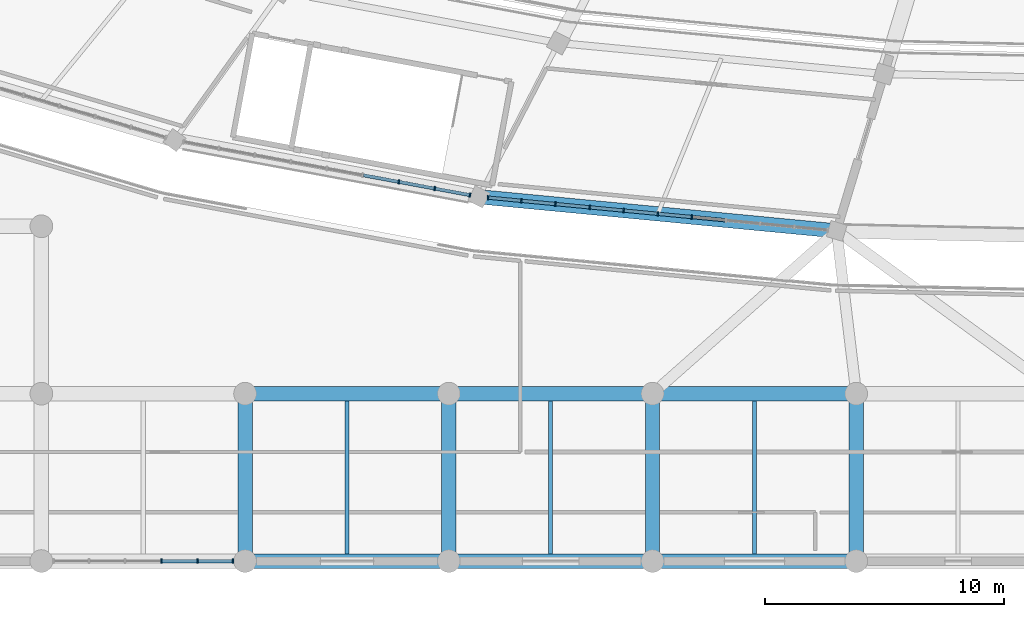
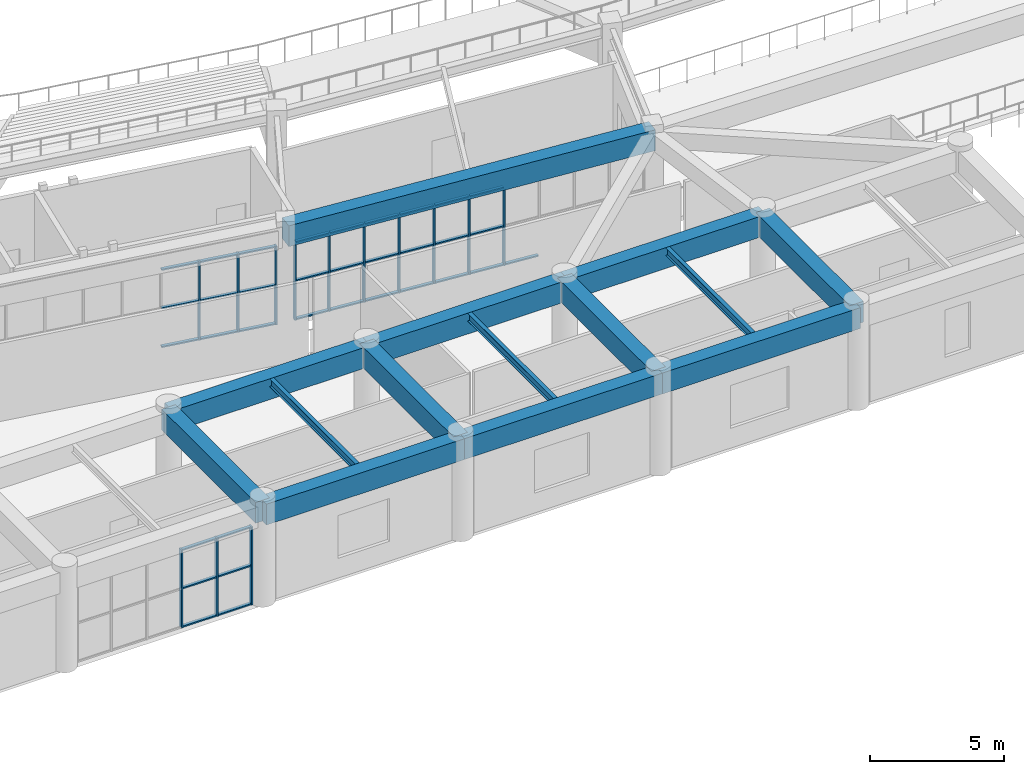
# One storey, part 21 of 137: 47 members, 14 beams, 3 elements without a shape of their own.
"""IFC4 building model written with IfcOpenShell, lengths in metres."""

from ifc_helpers import new_model, si_unit, direction, frame, origin, origin_2d, place, context, subcontext, project, spatial, rectangle, i_section, extrude, material, layer, layer_set, material_profile, profile_set, type_object, element, aggregate, save


model = new_model("IFC4")

# Units and contexts
model_context = context("Model", 3, precision=1e-05, world=origin(), true_north=direction((0.0, 1.0)))
body_context = subcontext(model_context, "Body", "Model", "MODEL_VIEW")
ifc_project = project(units=[si_unit("LENGTHUNIT", "METRE"), si_unit("AREAUNIT", "SQUARE_METRE"), si_unit("VOLUMEUNIT", "CUBIC_METRE"), si_unit("PLANEANGLEUNIT", "RADIAN"), si_unit("MASSUNIT", "GRAM", prefix="KILO")], contexts=[model_context])

# Site, building, storey
site_placement = place(None, origin())
site = spatial("IfcSite", under=ifc_project, at=site_placement, CompositionType="ELEMENT")
building_placement = place(site_placement, origin())
building = spatial("IfcBuilding", under=site, at=building_placement, Name="Mphavela Belvedere Stadium", CompositionType="ELEMENT")
storey_placement = place(building_placement, frame((0.0, 0.0, 19.199951171875)))
storey = spatial("IfcBuildingStorey", under=building, at=storey_placement, Name="L04", CompositionType="ELEMENT", Elevation=19.199951171875)

# Beams
ifc_material_1 = material(Name="Concrete C40/50", Category="concrete")
ifc_material_profile_1 = material_profile(ifc_material_1, rectangle(XDim=0.60009765625, YDim=0.949951171875, at=origin_2d()), Name="RC 600x950")
ifc_profile_set_1 = profile_set([ifc_material_profile_1], Name="Concrete C40/50")
beam_type_1 = type_object("IfcBeamType", Name="BM-ENTABLATURE-950", PredefinedType="SPANDREL", material=ifc_profile_set_1)
beam_1_placement = place(storey_placement, frame((77.92724609375, 15.232666015625, 4.074951171875), z_axis=(0.995483415661, -0.094935605244, 0.0), x_axis=(0.094935605244, 0.995483415661, 0.0)))
element("IfcBeam", 1, at=beam_1_placement, inside=storey, type_object=beam_type_1, Name="Circumferential girder L04 R4-35", PredefinedType="SPANDREL", context=body_context, shape_type="SweptSolid", body=[
    extrude(rectangle(XDim=0.60009765625, YDim=0.949951171875, at=origin_2d()), origin(), (0.0, 0.0, 1.0), 15.026123046875),
])
beam_2_placement = place(storey_placement, frame((68.14794921875, 0.0, 4.06494140625), z_axis=(1.0, 0.0, 0.0), x_axis=(0.0, 1.0, 0.0)))
element("IfcBeam", 2, at=beam_2_placement, inside=storey, type_object=beam_type_1, Name="South Axial Triumphal Peristyle Portico entablature beam X L04 9-1", PredefinedType="SPANDREL", context=body_context, shape_type="SweptSolid", body=[
    extrude(rectangle(XDim=0.60009765625, YDim=0.949951171875, at=origin_2d()), origin(), (0.0, 0.0, 1.0), 8.51904296875),
])
beam_3_placement = place(storey_placement, frame((68.14794921875, 0.0, 4.06494140625), z_axis=(0.0, 1.0, 0.0), x_axis=(-1.0, 0.0, 0.0)))
element("IfcBeam", 3, at=beam_3_placement, inside=storey, type_object=beam_type_1, Name="South Axial Triumphal Peristyle Portico entablature beam Y L04 9-1", PredefinedType="SPANDREL", context=body_context, shape_type="SweptSolid", body=[
    extrude(rectangle(XDim=0.60009765625, YDim=0.949951171875, at=origin_2d()), origin(), (0.0, 0.0, 1.0), 7.0),
])
beam_4_placement = place(storey_placement, frame((68.14794921875, 7.0, 4.06494140625), z_axis=(1.0, 0.0, 0.0), x_axis=(0.0, 1.0, 0.0)))
element("IfcBeam", 4, at=beam_4_placement, inside=storey, type_object=beam_type_1, Name="South Axial Triumphal Peristyle Portico entablature beam X L04 9-2", PredefinedType="SPANDREL", context=body_context, shape_type="SweptSolid", body=[
    extrude(rectangle(XDim=0.60009765625, YDim=0.949951171875, at=origin_2d()), origin(), (0.0, 0.0, 1.0), 8.51904296875),
])
beam_5_placement = place(storey_placement, frame((76.6669921875, 0.0, 4.06494140625), z_axis=(1.0, 0.0, 0.0), x_axis=(0.0, 1.0, 0.0)))
element("IfcBeam", 5, at=beam_5_placement, inside=storey, type_object=beam_type_1, Name="South Axial Triumphal Peristyle Portico entablature beam X L04 10-1", PredefinedType="SPANDREL", context=body_context, shape_type="SweptSolid", body=[
    extrude(rectangle(XDim=0.60009765625, YDim=0.949951171875, at=origin_2d()), origin(), (0.0, 0.0, 1.0), 8.51806640625),
])
beam_6_placement = place(storey_placement, frame((76.6669921875, 0.0, 4.06494140625), z_axis=(0.0, 1.0, 0.0), x_axis=(-1.0, 0.0, 0.0)))
element("IfcBeam", 6, at=beam_6_placement, inside=storey, type_object=beam_type_1, Name="South Axial Triumphal Peristyle Portico entablature beam Y L04 10-1", PredefinedType="SPANDREL", context=body_context, shape_type="SweptSolid", body=[
    extrude(rectangle(XDim=0.60009765625, YDim=0.949951171875, at=origin_2d()), origin(), (0.0, 0.0, 1.0), 7.0),
])
beam_7_placement = place(storey_placement, frame((76.6669921875, 7.0, 4.06494140625), z_axis=(1.0, 0.0, 0.0), x_axis=(0.0, 1.0, 0.0)))
element("IfcBeam", 7, at=beam_7_placement, inside=storey, type_object=beam_type_1, Name="South Axial Triumphal Peristyle Portico entablature beam X L04 10-2", PredefinedType="SPANDREL", context=body_context, shape_type="SweptSolid", body=[
    extrude(rectangle(XDim=0.60009765625, YDim=0.949951171875, at=origin_2d()), origin(), (0.0, 0.0, 1.0), 8.51806640625),
])
beam_8_placement = place(storey_placement, frame((85.18505859375, 0.0, 4.06494140625), z_axis=(1.0, 0.0, 0.0), x_axis=(0.0, 1.0, 0.0)))
element("IfcBeam", 8, at=beam_8_placement, inside=storey, type_object=beam_type_1, Name="South Axial Triumphal Peristyle Portico entablature beam X L04 11-1", PredefinedType="SPANDREL", context=body_context, shape_type="SweptSolid", body=[
    extrude(rectangle(XDim=0.60009765625, YDim=0.949951171875, at=origin_2d()), origin(), (0.0, 0.0, 1.0), 8.51904296875),
])
beam_9_placement = place(storey_placement, frame((85.18505859375, 0.0, 4.06494140625), z_axis=(0.0, 1.0, 0.0), x_axis=(-1.0, 0.0, 0.0)))
element("IfcBeam", 9, at=beam_9_placement, inside=storey, type_object=beam_type_1, Name="South Axial Triumphal Peristyle Portico entablature beam Y L04 11-1", PredefinedType="SPANDREL", context=body_context, shape_type="SweptSolid", body=[
    extrude(rectangle(XDim=0.60009765625, YDim=0.949951171875, at=origin_2d()), origin(), (0.0, 0.0, 1.0), 7.0),
])
beam_10_placement = place(storey_placement, frame((85.18505859375, 7.0, 4.06494140625), z_axis=(1.0, 0.0, 0.0), x_axis=(0.0, 1.0, 0.0)))
element("IfcBeam", 10, at=beam_10_placement, inside=storey, type_object=beam_type_1, Name="South Axial Triumphal Peristyle Portico entablature beam X L04 11-2", PredefinedType="SPANDREL", context=body_context, shape_type="SweptSolid", body=[
    extrude(rectangle(XDim=0.60009765625, YDim=0.949951171875, at=origin_2d()), origin(), (0.0, 0.0, 1.0), 8.51904296875),
])
beam_11_placement = place(storey_placement, frame((93.7041015625, 0.0, 4.06494140625), z_axis=(0.0, 1.0, 0.0), x_axis=(-1.0, 0.0, 0.0)))
element("IfcBeam", 11, at=beam_11_placement, inside=storey, type_object=beam_type_1, Name="South Axial Triumphal Peristyle Portico entablature beam Y L04 12-1", PredefinedType="SPANDREL", context=body_context, shape_type="SweptSolid", body=[
    extrude(rectangle(XDim=0.60009765625, YDim=0.949951171875, at=origin_2d()), origin(), (0.0, 0.0, 1.0), 7.0),
])
ifc_material_2 = material(Name="Steel S355", Category="steel")
ifc_material_profile_2 = material_profile(ifc_material_2, i_section(OverallWidth=0.169921875, OverallDepth=0.360107421875, WebThickness=0.008056640625, FlangeThickness=0.0126953125, at=origin_2d()), Name="IPE 360")
ifc_profile_set_2 = profile_set([ifc_material_profile_2], Name="Steel S355")
beam_type_2 = type_object("IfcBeamType", Name="BM-JOIST-IPE360", PredefinedType="JOIST", material=ifc_profile_set_2)
for number, where, z_axis, x_axis, name in (
    (12, (72.407470703125, 0.300048828125, 4.360107421875), (0.0, 1.0, 0.0), (-1.0, 0.0, 0.0), "South Axial Triumphal Peristyle Portico secondary joist L04 9-1"),
    (13, (80.926025390625, 0.300048828125, 4.360107421875), (0.0, 1.0, 0.0), (-1.0, 0.0, 0.0), "South Axial Triumphal Peristyle Portico secondary joist L04 10-1"),
    (14, (89.444580078125, 0.300048828125, 4.360107421875), (0.0, 1.0, 0.0), (-1.0, 0.0, 0.0), "South Axial Triumphal Peristyle Portico secondary joist L04 11-1"),
):
    element("IfcBeam", number, at=place(storey_placement, frame(where, z_axis=z_axis, x_axis=x_axis)), inside=storey, type_object=beam_type_2, Name=name, PredefinedType="JOIST", context=body_context, shape_type="SweptSolid", body=[
        extrude(i_section(OverallWidth=0.169921875, OverallDepth=0.360107421875, WebThickness=0.008056640625, FlangeThickness=0.0126953125, at=origin_2d()), origin(), (0.0, 0.0, 1.0), 6.39990234375),
    ])

# Curtain wall, members
ifc_material_3 = material(Name="Anodised bronze unitised curtain wall framing")
ifc_layer_1 = layer(ifc_material_3, 0.18505859375)
ifc_layer_set_1 = layer_set([ifc_layer_1], Name="Anodised bronze unitised curtain wall framing")
curtain_wall_type_1 = type_object("IfcCurtainWallType", Name="CW-UNIT-02", PredefinedType="USERDEFINED", material=ifc_layer_set_1)
curtain_wall_1_placement = place(storey_placement, origin())
curtain_wall_1 = element("IfcCurtainWall", 15, at=curtain_wall_1_placement, inside=storey, type_object=curtain_wall_type_1, Name="Belvedere colonnade curtain wall L04-34", ObjectType="UNITISED CURTAIN WALL", PredefinedType="USERDEFINED")
ifc_material_4 = material(Name="Anodised bronze extruded aluminium", Category="aluminium")
ifc_material_profile_3 = material_profile(ifc_material_4, rectangle(XDim=0.179931640625, YDim=0.06494140625, at=origin_2d()), Name="CW-MUL 180x65")
ifc_profile_set_3 = profile_set([ifc_material_profile_3], Name="Anodised bronze extruded aluminium")
member_type_1 = type_object("IfcMemberType", Name="CWM-180x65", PredefinedType="MULLION", material=ifc_profile_set_3)
member_1_placement = place(storey_placement, frame((74.573974609375, 15.857177734375, 0.0), z_axis=(0.0, 0.0, 1.0), x_axis=(0.183090835302, 0.983096000413, 0.0)))
member_1 = element("IfcMember", 16, at=member_1_placement, type_object=member_type_1, Name="CW-02 mullion 7", PredefinedType="MULLION", context=body_context, shape_type="SweptSolid", body=[
    extrude(rectangle(XDim=0.179931640625, YDim=0.06494140625, at=origin_2d()), origin(), (0.0, 0.0, 1.0), 3.570068359375),
])
member_2_placement = place(storey_placement, frame((76.07958984375, 15.57666015625, 0.0), z_axis=(0.0, 0.0, 1.0), x_axis=(0.183090835302, 0.983096000413, 0.0)))
member_2 = element("IfcMember", 17, at=member_2_placement, type_object=member_type_1, Name="CW-02 mullion 8", PredefinedType="MULLION", context=body_context, shape_type="SweptSolid", body=[
    extrude(rectangle(XDim=0.179931640625, YDim=0.06494140625, at=origin_2d()), origin(), (0.0, 0.0, 1.0), 3.570068359375),
])
member_3_placement = place(storey_placement, frame((77.55322265625, 15.30224609375, 0.0), z_axis=(0.0, 0.0, 1.0), x_axis=(0.183090835302, 0.983096000413, 0.0)))
member_3 = element("IfcMember", 18, at=member_3_placement, type_object=member_type_1, Name="CW-02 mullion 9", PredefinedType="MULLION", context=body_context, shape_type="SweptSolid", body=[
    extrude(rectangle(XDim=0.179931640625, YDim=0.06494140625, at=origin_2d()), origin(), (0.0, 0.0, 1.0), 3.570068359375),
])

ifc_material_5 = material(Name="Anodised bronze unitised curtain wall framing")
ifc_layer_2 = layer(ifc_material_5, 0.18994140625)
ifc_layer_set_2 = layer_set([ifc_layer_2], Name="Anodised bronze unitised curtain wall framing")
curtain_wall_type_2 = type_object("IfcCurtainWallType", Name="CW-UNIT-03", PredefinedType="USERDEFINED", material=ifc_layer_set_2)
curtain_wall_2_placement = place(storey_placement, origin())
curtain_wall_2 = element("IfcCurtainWall", 19, at=curtain_wall_2_placement, inside=storey, type_object=curtain_wall_type_2, Name="Belvedere colonnade curtain wall L04-35", ObjectType="UNITISED CURTAIN WALL", PredefinedType="USERDEFINED")
member_4_placement = place(storey_placement, frame((78.305908203125, 15.196533203125, 0.0), z_axis=(0.0, 0.0, 1.0), x_axis=(0.094932913757, 0.995483672335, 0.0)))
member_4 = element("IfcMember", 20, at=member_4_placement, type_object=member_type_1, Name="CW-03 mullion 1", PredefinedType="MULLION", context=body_context, shape_type="SweptSolid", body=[
    extrude(rectangle(XDim=0.179931640625, YDim=0.06494140625, at=origin_2d()), origin(), (0.0, 0.0, 1.0), 3.570068359375),
])
member_5_placement = place(storey_placement, frame((79.7001953125, 15.0634765625, 0.0), z_axis=(0.0, 0.0, 1.0), x_axis=(0.094932913757, 0.995483672335, 0.0)))
member_5 = element("IfcMember", 21, at=member_5_placement, type_object=member_type_1, Name="CW-03 mullion 2", PredefinedType="MULLION", context=body_context, shape_type="SweptSolid", body=[
    extrude(rectangle(XDim=0.179931640625, YDim=0.06494140625, at=origin_2d()), origin(), (0.0, 0.0, 1.0), 3.570068359375),
])
member_6_placement = place(storey_placement, frame((81.126708984375, 14.927490234375, 0.0), z_axis=(0.0, 0.0, 1.0), x_axis=(0.094932913757, 0.995483672335, 0.0)))
member_6 = element("IfcMember", 22, at=member_6_placement, type_object=member_type_1, Name="CW-03 mullion 3", PredefinedType="MULLION", context=body_context, shape_type="SweptSolid", body=[
    extrude(rectangle(XDim=0.179931640625, YDim=0.06494140625, at=origin_2d()), origin(), (0.0, 0.0, 1.0), 3.570068359375),
])
member_7_placement = place(storey_placement, frame((82.55322265625, 14.79150390625, 0.0), z_axis=(0.0, 0.0, 1.0), x_axis=(0.094932913757, 0.995483672335, 0.0)))
member_7 = element("IfcMember", 23, at=member_7_placement, type_object=member_type_1, Name="CW-03 mullion 4", PredefinedType="MULLION", context=body_context, shape_type="SweptSolid", body=[
    extrude(rectangle(XDim=0.179931640625, YDim=0.06494140625, at=origin_2d()), origin(), (0.0, 0.0, 1.0), 3.570068359375),
])
member_8_placement = place(storey_placement, frame((83.979736328125, 14.655517578125, 0.0), z_axis=(0.0, 0.0, 1.0), x_axis=(0.094932913757, 0.995483672335, 0.0)))
member_8 = element("IfcMember", 24, at=member_8_placement, type_object=member_type_1, Name="CW-03 mullion 5", PredefinedType="MULLION", context=body_context, shape_type="SweptSolid", body=[
    extrude(rectangle(XDim=0.179931640625, YDim=0.06494140625, at=origin_2d()), origin(), (0.0, 0.0, 1.0), 3.570068359375),
])
member_9_placement = place(storey_placement, frame((85.40625, 14.519287109375, 0.0), z_axis=(0.0, 0.0, 1.0), x_axis=(0.094932913757, 0.995483672335, 0.0)))
member_9 = element("IfcMember", 25, at=member_9_placement, type_object=member_type_1, Name="CW-03 mullion 6", PredefinedType="MULLION", context=body_context, shape_type="SweptSolid", body=[
    extrude(rectangle(XDim=0.179931640625, YDim=0.06494140625, at=origin_2d()), origin(), (0.0, 0.0, 1.0), 3.570068359375),
])
member_10_placement = place(storey_placement, frame((86.832763671875, 14.38330078125, 0.0), z_axis=(0.0, 0.0, 1.0), x_axis=(0.094932913757, 0.995483672335, 0.0)))
member_10 = element("IfcMember", 26, at=member_10_placement, type_object=member_type_1, Name="CW-03 mullion 7", PredefinedType="MULLION", context=body_context, shape_type="SweptSolid", body=[
    extrude(rectangle(XDim=0.179931640625, YDim=0.06494140625, at=origin_2d()), origin(), (0.0, 0.0, 1.0), 3.570068359375),
])

ifc_material_6 = material(Name="Anodised bronze unitised curtain wall framing")
ifc_layer_3 = layer(ifc_material_6, 0.195068359375)
ifc_layer_set_3 = layer_set([ifc_layer_3], Name="Anodised bronze unitised curtain wall framing")
curtain_wall_type_3 = type_object("IfcCurtainWallType", Name="CW-UNIT-04", PredefinedType="USERDEFINED", material=ifc_layer_set_3)
curtain_wall_3_placement = place(storey_placement, origin())
curtain_wall_3 = element("IfcCurtainWall", 27, at=curtain_wall_3_placement, inside=storey, type_object=curtain_wall_type_3, Name="South Axial Triumphal Peristyle Portico gallery curtain wall L04-08", ObjectType="UNITISED CURTAIN WALL", PredefinedType="USERDEFINED")
member_11_placement = place(storey_placement, frame((67.642578125, 0.0, 0.0), z_axis=(0.0, 0.0, 1.0), x_axis=(0.0, -1.0, 0.0)))
member_11 = element("IfcMember", 28, at=member_11_placement, type_object=member_type_1, Name="CW-04 mullion 1", PredefinedType="MULLION", context=body_context, shape_type="SweptSolid", body=[
    extrude(rectangle(XDim=0.179931640625, YDim=0.06494140625, at=origin_2d()), origin(), (0.0, 0.0, 1.0), 3.56005859375),
])
member_12_placement = place(storey_placement, frame((66.16064453125, 0.0, 0.0), z_axis=(0.0, 0.0, 1.0), x_axis=(0.0, -1.0, 0.0)))
member_12 = element("IfcMember", 29, at=member_12_placement, type_object=member_type_1, Name="CW-04 mullion 2", PredefinedType="MULLION", context=body_context, shape_type="SweptSolid", body=[
    extrude(rectangle(XDim=0.179931640625, YDim=0.06494140625, at=origin_2d()), origin(), (0.0, 0.0, 1.0), 3.56005859375),
])
member_13_placement = place(storey_placement, frame((64.646240234375, 0.0, 0.0), z_axis=(0.0, 0.0, 1.0), x_axis=(0.0, -1.0, 0.0)))
member_13 = element("IfcMember", 30, at=member_13_placement, type_object=member_type_1, Name="CW-04 mullion 3", PredefinedType="MULLION", context=body_context, shape_type="SweptSolid", body=[
    extrude(rectangle(XDim=0.179931640625, YDim=0.06494140625, at=origin_2d()), origin(), (0.0, 0.0, 1.0), 3.56005859375),
])

# Member
ifc_material_7 = material(Name="Anodised bronze extruded aluminium", Category="aluminium")
ifc_material_profile_4 = material_profile(ifc_material_7, rectangle(XDim=0.139892578125, YDim=0.06005859375, at=origin_2d()), Name="CW-TRN 140x60")
ifc_profile_set_4 = profile_set([ifc_material_profile_4], Name="Anodised bronze extruded aluminium")
member_type_2 = type_object("IfcMemberType", Name="CWT-140x60", PredefinedType="USERDEFINED", material=ifc_profile_set_4)
member_14_placement = place(storey_placement, frame((73.1005859375, 16.131591796875, 0.030029296875), z_axis=(0.983082665707, -0.183162420779, 0.0), x_axis=(0.183162420779, 0.983082665707, 0.0)))
member_14 = element("IfcMember", 31, at=member_14_placement, type_object=member_type_2, Name="CW-02 transom 6.1", ObjectType="TRANSOM", PredefinedType="USERDEFINED", context=body_context, shape_type="SweptSolid", body=[
    extrude(rectangle(XDim=0.139892578125, YDim=0.06005859375, at=origin_2d()), origin(), (0.0, 0.0, 1.0), 1.46630859375),
])

member_15_placement = place(storey_placement, frame((73.1005859375, 16.131591796875, 1.78515625), z_axis=(0.983082665707, -0.183162420779, 0.0), x_axis=(0.183162420779, 0.983082665707, 0.0)))
member_15 = element("IfcMember", 32, at=member_15_placement, type_object=member_type_2, Name="CW-02 transom 6.2", ObjectType="TRANSOM", PredefinedType="USERDEFINED", context=body_context, shape_type="SweptSolid", body=[
    extrude(rectangle(XDim=0.139892578125, YDim=0.06005859375, at=origin_2d()), origin(), (0.0, 0.0, 1.0), 1.46630859375),
])

member_16_placement = place(storey_placement, frame((73.1005859375, 16.131591796875, 3.5400390625), z_axis=(0.983082665707, -0.183162420779, 0.0), x_axis=(0.183162420779, 0.983082665707, 0.0)))
member_16 = element("IfcMember", 33, at=member_16_placement, type_object=member_type_2, Name="CW-02 transom 6.3", ObjectType="TRANSOM", PredefinedType="USERDEFINED", context=body_context, shape_type="SweptSolid", body=[
    extrude(rectangle(XDim=0.139892578125, YDim=0.06005859375, at=origin_2d()), origin(), (0.0, 0.0, 1.0), 1.46630859375),
])

member_17_placement = place(storey_placement, frame((74.60595703125, 15.85107421875, 0.030029296875), z_axis=(0.983088250536, -0.183132442945, 0.0), x_axis=(0.183132442945, 0.983088250536, 0.0)))
member_17 = element("IfcMember", 34, at=member_17_placement, type_object=member_type_2, Name="CW-02 transom 7.1", ObjectType="TRANSOM", PredefinedType="USERDEFINED", context=body_context, shape_type="SweptSolid", body=[
    extrude(rectangle(XDim=0.139892578125, YDim=0.06005859375, at=origin_2d()), origin(), (0.0, 0.0, 1.0), 1.466552734375),
])

member_18_placement = place(storey_placement, frame((74.60595703125, 15.85107421875, 1.78515625), z_axis=(0.983088250536, -0.183132442945, 0.0), x_axis=(0.183132442945, 0.983088250536, 0.0)))
member_18 = element("IfcMember", 35, at=member_18_placement, type_object=member_type_2, Name="CW-02 transom 7.2", ObjectType="TRANSOM", PredefinedType="USERDEFINED", context=body_context, shape_type="SweptSolid", body=[
    extrude(rectangle(XDim=0.139892578125, YDim=0.06005859375, at=origin_2d()), origin(), (0.0, 0.0, 1.0), 1.466552734375),
])

member_19_placement = place(storey_placement, frame((74.60595703125, 15.85107421875, 3.5400390625), z_axis=(0.983088250536, -0.183132442945, 0.0), x_axis=(0.183132442945, 0.983088250536, 0.0)))
member_19 = element("IfcMember", 36, at=member_19_placement, type_object=member_type_2, Name="CW-02 transom 7.3", ObjectType="TRANSOM", PredefinedType="USERDEFINED", context=body_context, shape_type="SweptSolid", body=[
    extrude(rectangle(XDim=0.139892578125, YDim=0.06005859375, at=origin_2d()), origin(), (0.0, 0.0, 1.0), 1.466552734375),
])

member_20_placement = place(storey_placement, frame((76.111572265625, 15.57080078125, 0.030029296875), z_axis=(0.9830758938, -0.183198763722, 0.0), x_axis=(0.183198763722, 0.9830758938, 0.0)))
member_20 = element("IfcMember", 37, at=member_20_placement, type_object=member_type_2, Name="CW-02 transom 8.1", ObjectType="TRANSOM", PredefinedType="USERDEFINED", context=body_context, shape_type="SweptSolid", body=[
    extrude(rectangle(XDim=0.139892578125, YDim=0.06005859375, at=origin_2d()), origin(), (0.0, 0.0, 1.0), 1.433837890625),
])

member_21_placement = place(storey_placement, frame((76.111572265625, 15.57080078125, 1.78515625), z_axis=(0.9830758938, -0.183198763722, 0.0), x_axis=(0.183198763722, 0.9830758938, 0.0)))
member_21 = element("IfcMember", 38, at=member_21_placement, type_object=member_type_2, Name="CW-02 transom 8.2", ObjectType="TRANSOM", PredefinedType="USERDEFINED", context=body_context, shape_type="SweptSolid", body=[
    extrude(rectangle(XDim=0.139892578125, YDim=0.06005859375, at=origin_2d()), origin(), (0.0, 0.0, 1.0), 1.433837890625),
])

member_22_placement = place(storey_placement, frame((76.111572265625, 15.57080078125, 3.5400390625), z_axis=(0.9830758938, -0.183198763722, 0.0), x_axis=(0.183198763722, 0.9830758938, 0.0)))
member_22 = element("IfcMember", 39, at=member_22_placement, type_object=member_type_2, Name="CW-02 transom 8.3", ObjectType="TRANSOM", PredefinedType="USERDEFINED", context=body_context, shape_type="SweptSolid", body=[
    extrude(rectangle(XDim=0.139892578125, YDim=0.06005859375, at=origin_2d()), origin(), (0.0, 0.0, 1.0), 1.433837890625),
])

aggregate(curtain_wall_1, [member_1, member_2, member_3, member_14, member_15, member_16, member_17, member_18, member_19, member_20, member_21, member_22])

member_23_placement = place(storey_placement, frame((78.33837890625, 15.193359375, 0.030029296875), z_axis=(0.995488074353, -0.094886742073, 0.0), x_axis=(0.094886742073, 0.995488074353, 0.0)))
member_23 = element("IfcMember", 40, at=member_23_placement, type_object=member_type_2, Name="CW-03 transom 1.1", ObjectType="TRANSOM", PredefinedType="USERDEFINED", context=body_context, shape_type="SweptSolid", body=[
    extrude(rectangle(XDim=0.139892578125, YDim=0.06005859375, at=origin_2d()), origin(), (0.0, 0.0, 1.0), 1.33544921875),
])

member_24_placement = place(storey_placement, frame((78.33837890625, 15.193359375, 1.78515625), z_axis=(0.995488074353, -0.094886742073, 0.0), x_axis=(0.094886742073, 0.995488074353, 0.0)))
member_24 = element("IfcMember", 41, at=member_24_placement, type_object=member_type_2, Name="CW-03 transom 1.2", ObjectType="TRANSOM", PredefinedType="USERDEFINED", context=body_context, shape_type="SweptSolid", body=[
    extrude(rectangle(XDim=0.139892578125, YDim=0.06005859375, at=origin_2d()), origin(), (0.0, 0.0, 1.0), 1.33544921875),
])

member_25_placement = place(storey_placement, frame((78.33837890625, 15.193359375, 3.5400390625), z_axis=(0.995488074353, -0.094886742073, 0.0), x_axis=(0.094886742073, 0.995488074353, 0.0)))
member_25 = element("IfcMember", 42, at=member_25_placement, type_object=member_type_2, Name="CW-03 transom 1.3", ObjectType="TRANSOM", PredefinedType="USERDEFINED", context=body_context, shape_type="SweptSolid", body=[
    extrude(rectangle(XDim=0.139892578125, YDim=0.06005859375, at=origin_2d()), origin(), (0.0, 0.0, 1.0), 1.33544921875),
])

member_26_placement = place(storey_placement, frame((79.732421875, 15.060546875, 0.030029296875), z_axis=(0.995482629973, -0.094943843518, 0.0), x_axis=(0.094943843518, 0.995482629973, 0.0)))
member_26 = element("IfcMember", 43, at=member_26_placement, type_object=member_type_2, Name="CW-03 transom 2.1", ObjectType="TRANSOM", PredefinedType="USERDEFINED", context=body_context, shape_type="SweptSolid", body=[
    extrude(rectangle(XDim=0.139892578125, YDim=0.06005859375, at=origin_2d()), origin(), (0.0, 0.0, 1.0), 1.367919921875),
])

member_27_placement = place(storey_placement, frame((79.732421875, 15.060546875, 1.78515625), z_axis=(0.995482629973, -0.094943843518, 0.0), x_axis=(0.094943843518, 0.995482629973, 0.0)))
member_27 = element("IfcMember", 44, at=member_27_placement, type_object=member_type_2, Name="CW-03 transom 2.2", ObjectType="TRANSOM", PredefinedType="USERDEFINED", context=body_context, shape_type="SweptSolid", body=[
    extrude(rectangle(XDim=0.139892578125, YDim=0.06005859375, at=origin_2d()), origin(), (0.0, 0.0, 1.0), 1.367919921875),
])

member_28_placement = place(storey_placement, frame((79.732421875, 15.060546875, 3.5400390625), z_axis=(0.995482629973, -0.094943843518, 0.0), x_axis=(0.094943843518, 0.995482629973, 0.0)))
member_28 = element("IfcMember", 45, at=member_28_placement, type_object=member_type_2, Name="CW-03 transom 2.3", ObjectType="TRANSOM", PredefinedType="USERDEFINED", context=body_context, shape_type="SweptSolid", body=[
    extrude(rectangle(XDim=0.139892578125, YDim=0.06005859375, at=origin_2d()), origin(), (0.0, 0.0, 1.0), 1.367919921875),
])

member_29_placement = place(storey_placement, frame((81.158935546875, 14.92431640625, 0.030029296875), z_axis=(0.99549948224, -0.094766981906, 0.0), x_axis=(0.094766981906, 0.99549948224, 0.0)))
member_29 = element("IfcMember", 46, at=member_29_placement, type_object=member_type_2, Name="CW-03 transom 3.1", ObjectType="TRANSOM", PredefinedType="USERDEFINED", context=body_context, shape_type="SweptSolid", body=[
    extrude(rectangle(XDim=0.139892578125, YDim=0.06005859375, at=origin_2d()), origin(), (0.0, 0.0, 1.0), 1.367919921875),
])

member_30_placement = place(storey_placement, frame((81.158935546875, 14.92431640625, 1.78515625), z_axis=(0.99549948224, -0.094766981906, 0.0), x_axis=(0.094766981906, 0.99549948224, 0.0)))
member_30 = element("IfcMember", 47, at=member_30_placement, type_object=member_type_2, Name="CW-03 transom 3.2", ObjectType="TRANSOM", PredefinedType="USERDEFINED", context=body_context, shape_type="SweptSolid", body=[
    extrude(rectangle(XDim=0.139892578125, YDim=0.06005859375, at=origin_2d()), origin(), (0.0, 0.0, 1.0), 1.367919921875),
])

member_31_placement = place(storey_placement, frame((81.158935546875, 14.92431640625, 3.5400390625), z_axis=(0.99549948224, -0.094766981906, 0.0), x_axis=(0.094766981906, 0.99549948224, 0.0)))
member_31 = element("IfcMember", 48, at=member_31_placement, type_object=member_type_2, Name="CW-03 transom 3.3", ObjectType="TRANSOM", PredefinedType="USERDEFINED", context=body_context, shape_type="SweptSolid", body=[
    extrude(rectangle(XDim=0.139892578125, YDim=0.06005859375, at=origin_2d()), origin(), (0.0, 0.0, 1.0), 1.367919921875),
])

member_32_placement = place(storey_placement, frame((82.585693359375, 14.788330078125, 0.030029296875), z_axis=(0.995482629973, -0.094943843518, 0.0), x_axis=(0.094943843518, 0.995482629973, 0.0)))
member_32 = element("IfcMember", 49, at=member_32_placement, type_object=member_type_2, Name="CW-03 transom 4.1", ObjectType="TRANSOM", PredefinedType="USERDEFINED", context=body_context, shape_type="SweptSolid", body=[
    extrude(rectangle(XDim=0.139892578125, YDim=0.06005859375, at=origin_2d()), origin(), (0.0, 0.0, 1.0), 1.367919921875),
])

member_33_placement = place(storey_placement, frame((82.585693359375, 14.788330078125, 1.78515625), z_axis=(0.995482629973, -0.094943843518, 0.0), x_axis=(0.094943843518, 0.995482629973, 0.0)))
member_33 = element("IfcMember", 50, at=member_33_placement, type_object=member_type_2, Name="CW-03 transom 4.2", ObjectType="TRANSOM", PredefinedType="USERDEFINED", context=body_context, shape_type="SweptSolid", body=[
    extrude(rectangle(XDim=0.139892578125, YDim=0.06005859375, at=origin_2d()), origin(), (0.0, 0.0, 1.0), 1.367919921875),
])

member_34_placement = place(storey_placement, frame((82.585693359375, 14.788330078125, 3.5400390625), z_axis=(0.995482629973, -0.094943843518, 0.0), x_axis=(0.094943843518, 0.995482629973, 0.0)))
member_34 = element("IfcMember", 51, at=member_34_placement, type_object=member_type_2, Name="CW-03 transom 4.3", ObjectType="TRANSOM", PredefinedType="USERDEFINED", context=body_context, shape_type="SweptSolid", body=[
    extrude(rectangle(XDim=0.139892578125, YDim=0.06005859375, at=origin_2d()), origin(), (0.0, 0.0, 1.0), 1.367919921875),
])

member_35_placement = place(storey_placement, frame((84.01220703125, 14.65234375, 0.030029296875), z_axis=(0.995482629973, -0.094943843518, 0.0), x_axis=(0.094943843518, 0.995482629973, 0.0)))
member_35 = element("IfcMember", 52, at=member_35_placement, type_object=member_type_2, Name="CW-03 transom 5.1", ObjectType="TRANSOM", PredefinedType="USERDEFINED", context=body_context, shape_type="SweptSolid", body=[
    extrude(rectangle(XDim=0.139892578125, YDim=0.06005859375, at=origin_2d()), origin(), (0.0, 0.0, 1.0), 1.367919921875),
])

member_36_placement = place(storey_placement, frame((84.01220703125, 14.65234375, 1.78515625), z_axis=(0.995482629973, -0.094943843518, 0.0), x_axis=(0.094943843518, 0.995482629973, 0.0)))
member_36 = element("IfcMember", 53, at=member_36_placement, type_object=member_type_2, Name="CW-03 transom 5.2", ObjectType="TRANSOM", PredefinedType="USERDEFINED", context=body_context, shape_type="SweptSolid", body=[
    extrude(rectangle(XDim=0.139892578125, YDim=0.06005859375, at=origin_2d()), origin(), (0.0, 0.0, 1.0), 1.367919921875),
])

member_37_placement = place(storey_placement, frame((84.01220703125, 14.65234375, 3.5400390625), z_axis=(0.995482629973, -0.094943843518, 0.0), x_axis=(0.094943843518, 0.995482629973, 0.0)))
member_37 = element("IfcMember", 54, at=member_37_placement, type_object=member_type_2, Name="CW-03 transom 5.3", ObjectType="TRANSOM", PredefinedType="USERDEFINED", context=body_context, shape_type="SweptSolid", body=[
    extrude(rectangle(XDim=0.139892578125, YDim=0.06005859375, at=origin_2d()), origin(), (0.0, 0.0, 1.0), 1.367919921875),
])

member_38_placement = place(storey_placement, frame((85.438720703125, 14.516357421875, 0.030029296875), z_axis=(0.995482629973, -0.094943843518, 0.0), x_axis=(0.094943843518, 0.995482629973, 0.0)))
member_38 = element("IfcMember", 55, at=member_38_placement, type_object=member_type_2, Name="CW-03 transom 6.1", ObjectType="TRANSOM", PredefinedType="USERDEFINED", context=body_context, shape_type="SweptSolid", body=[
    extrude(rectangle(XDim=0.139892578125, YDim=0.06005859375, at=origin_2d()), origin(), (0.0, 0.0, 1.0), 1.367919921875),
])

member_39_placement = place(storey_placement, frame((85.438720703125, 14.516357421875, 1.78515625), z_axis=(0.995482629973, -0.094943843518, 0.0), x_axis=(0.094943843518, 0.995482629973, 0.0)))
member_39 = element("IfcMember", 56, at=member_39_placement, type_object=member_type_2, Name="CW-03 transom 6.2", ObjectType="TRANSOM", PredefinedType="USERDEFINED", context=body_context, shape_type="SweptSolid", body=[
    extrude(rectangle(XDim=0.139892578125, YDim=0.06005859375, at=origin_2d()), origin(), (0.0, 0.0, 1.0), 1.367919921875),
])

member_40_placement = place(storey_placement, frame((85.438720703125, 14.516357421875, 3.5400390625), z_axis=(0.995482629973, -0.094943843518, 0.0), x_axis=(0.094943843518, 0.995482629973, 0.0)))
member_40 = element("IfcMember", 57, at=member_40_placement, type_object=member_type_2, Name="CW-03 transom 6.3", ObjectType="TRANSOM", PredefinedType="USERDEFINED", context=body_context, shape_type="SweptSolid", body=[
    extrude(rectangle(XDim=0.139892578125, YDim=0.06005859375, at=origin_2d()), origin(), (0.0, 0.0, 1.0), 1.367919921875),
])

member_41_placement = place(storey_placement, frame((86.865234375, 14.38037109375, 0.030029296875), z_axis=(0.995482629973, -0.094943843518, 0.0), x_axis=(0.094943843518, 0.995482629973, 0.0)))
member_41 = element("IfcMember", 58, at=member_41_placement, type_object=member_type_2, Name="CW-03 transom 7.1", ObjectType="TRANSOM", PredefinedType="USERDEFINED", context=body_context, shape_type="SweptSolid", body=[
    extrude(rectangle(XDim=0.139892578125, YDim=0.06005859375, at=origin_2d()), origin(), (0.0, 0.0, 1.0), 1.367919921875),
])

aggregate(curtain_wall_2, [member_4, member_5, member_6, member_7, member_8, member_9, member_10, member_23, member_24, member_25, member_26, member_27, member_28, member_29, member_30, member_31, member_32, member_33, member_34, member_35, member_36, member_37, member_38, member_39, member_40, member_41])

member_42_placement = place(storey_placement, frame((67.610107421875, 0.0, 0.030029296875), z_axis=(-1.0, 0.0, 0.0), x_axis=(0.0, -1.0, 0.0)))
member_42 = element("IfcMember", 59, at=member_42_placement, type_object=member_type_2, Name="CW-04 transom 1.1", ObjectType="TRANSOM", PredefinedType="USERDEFINED", context=body_context, shape_type="SweptSolid", body=[
    extrude(rectangle(XDim=0.139892578125, YDim=0.06005859375, at=origin_2d()), origin(), (0.0, 0.0, 1.0), 1.4169921875),
])

member_43_placement = place(storey_placement, frame((67.610107421875, 0.0, 1.780029296875), z_axis=(-1.0, 0.0, 0.0), x_axis=(0.0, -1.0, 0.0)))
member_43 = element("IfcMember", 60, at=member_43_placement, type_object=member_type_2, Name="CW-04 transom 1.2", ObjectType="TRANSOM", PredefinedType="USERDEFINED", context=body_context, shape_type="SweptSolid", body=[
    extrude(rectangle(XDim=0.139892578125, YDim=0.06005859375, at=origin_2d()), origin(), (0.0, 0.0, 1.0), 1.4169921875),
])

member_44_placement = place(storey_placement, frame((67.610107421875, 0.0, 3.530029296875), z_axis=(-1.0, 0.0, 0.0), x_axis=(0.0, -1.0, 0.0)))
member_44 = element("IfcMember", 61, at=member_44_placement, type_object=member_type_2, Name="CW-04 transom 1.3", ObjectType="TRANSOM", PredefinedType="USERDEFINED", context=body_context, shape_type="SweptSolid", body=[
    extrude(rectangle(XDim=0.139892578125, YDim=0.06005859375, at=origin_2d()), origin(), (0.0, 0.0, 1.0), 1.4169921875),
])

member_45_placement = place(storey_placement, frame((66.128173828125, 0.0, 0.030029296875), z_axis=(-1.0, 0.0, 0.0), x_axis=(0.0, -1.0, 0.0)))
member_45 = element("IfcMember", 62, at=member_45_placement, type_object=member_type_2, Name="CW-04 transom 2.1", ObjectType="TRANSOM", PredefinedType="USERDEFINED", context=body_context, shape_type="SweptSolid", body=[
    extrude(rectangle(XDim=0.139892578125, YDim=0.06005859375, at=origin_2d()), origin(), (0.0, 0.0, 1.0), 1.449462890625),
])

member_46_placement = place(storey_placement, frame((66.128173828125, 0.0, 1.780029296875), z_axis=(-1.0, 0.0, 0.0), x_axis=(0.0, -1.0, 0.0)))
member_46 = element("IfcMember", 63, at=member_46_placement, type_object=member_type_2, Name="CW-04 transom 2.2", ObjectType="TRANSOM", PredefinedType="USERDEFINED", context=body_context, shape_type="SweptSolid", body=[
    extrude(rectangle(XDim=0.139892578125, YDim=0.06005859375, at=origin_2d()), origin(), (0.0, 0.0, 1.0), 1.449462890625),
])

member_47_placement = place(storey_placement, frame((66.128173828125, 0.0, 3.530029296875), z_axis=(-1.0, 0.0, 0.0), x_axis=(0.0, -1.0, 0.0)))
member_47 = element("IfcMember", 64, at=member_47_placement, type_object=member_type_2, Name="CW-04 transom 2.3", ObjectType="TRANSOM", PredefinedType="USERDEFINED", context=body_context, shape_type="SweptSolid", body=[
    extrude(rectangle(XDim=0.139892578125, YDim=0.06005859375, at=origin_2d()), origin(), (0.0, 0.0, 1.0), 1.449462890625),
])

aggregate(curtain_wall_3, [member_11, member_12, member_13, member_42, member_43, member_44, member_45, member_46, member_47])

save(model, "model.ifc")
